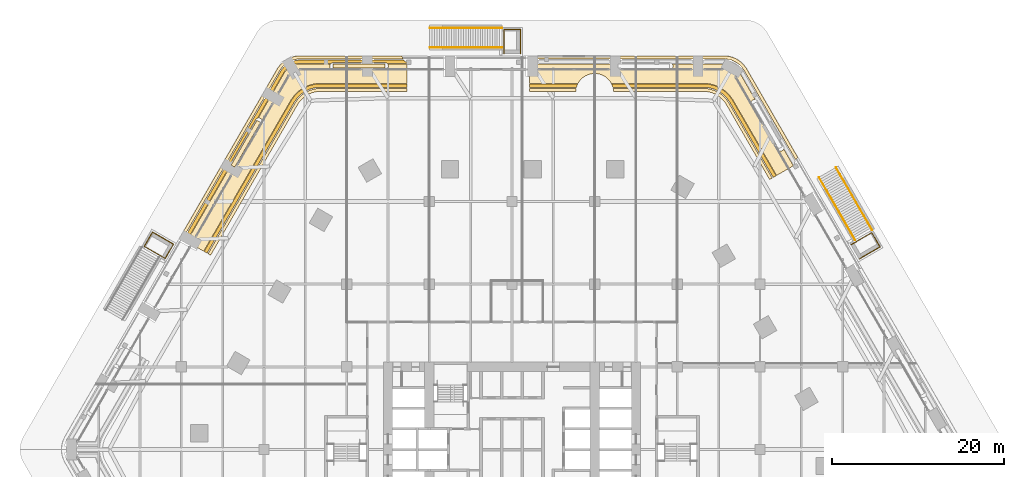
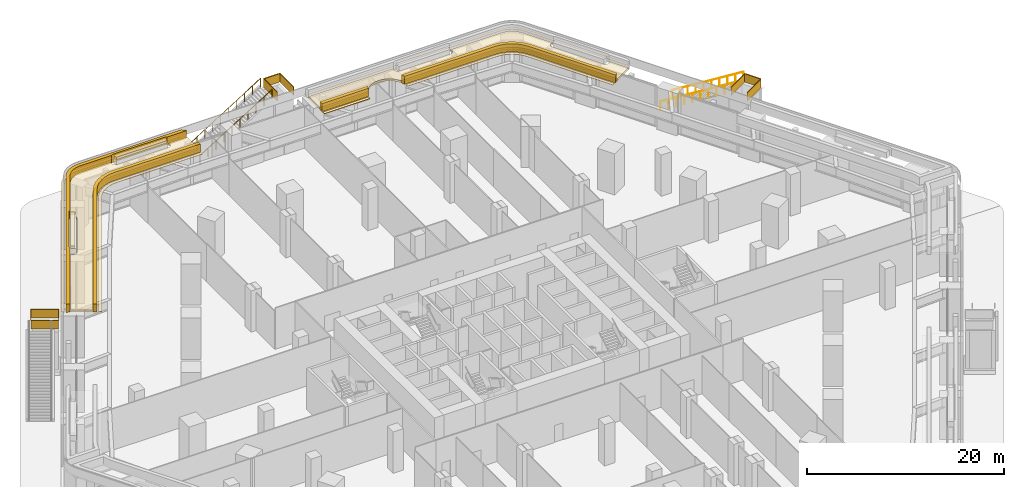
# One storey, part 33 of 34: 13 coverings, 7 railings.
"""IFC4 building model written with IfcOpenShell, lengths in metres."""

from ifc_helpers import new_model, si_unit, direction, frame, frame_2d, origin, origin_2d, place, context, subcontext, project, spatial, polyline, rectangle, circle, outline, extrude, material, layer, layer_set, type_object, element, save


model = new_model("IFC4")

# Units and contexts
model_context = context("Model", 3, precision=1e-05, world=origin(), true_north=direction((0.0, 1.0)))
body_context = subcontext(model_context, "Body", "Model", "MODEL_VIEW")
ifc_project = project(units=[si_unit("LENGTHUNIT", "METRE"), si_unit("AREAUNIT", "SQUARE_METRE"), si_unit("VOLUMEUNIT", "CUBIC_METRE"), si_unit("PLANEANGLEUNIT", "RADIAN"), si_unit("MASSUNIT", "GRAM", prefix="KILO")], contexts=[model_context])

# Site, building, storey
site_placement = place(None, origin())
site = spatial("IfcSite", under=ifc_project, at=site_placement, CompositionType="ELEMENT")
building_placement = place(site_placement, origin())
building = spatial("IfcBuilding", under=site, at=building_placement, Name="Kolab Exchange Tower", CompositionType="ELEMENT")
storey_placement = place(building_placement, frame((0.0, 0.0, 7.0)))
storey = spatial("IfcBuildingStorey", under=building, at=storey_placement, Name="L01", CompositionType="ELEMENT", Elevation=7.0)

# Railings
ifc_material_1 = material(Name="Steel S235", Category="steel")
railing_type = type_object("IfcRailingType", Name="GUARD 1100 GLASS BALUSTRADE AND STEEL TOP RAIL", PredefinedType="GUARDRAIL", material=ifc_material_1)
for number, where, name in (
    (1, (-9.56005859375, 48.966064453125, 0.174072265625), "Stair guard"),
    (2, (-9.56005859375, 46.68603515625, 0.174072265625), "Stair guard"),
):
    element("IfcRailing", number, at=place(storey_placement, frame(where)), inside=storey, type_object=railing_type, Name=name, PredefinedType="GUARDRAIL", context=body_context, shape_type="SweptSolid", body=[
        extrude(circle(Radius=0.02490234375, at=origin_2d()), frame((0.0, 0.0, 1.0751953125), z_axis=(0.849098665391, 0.0, 0.528234281765), x_axis=(0.0, 1.0, 0.0)), (0.0, 0.0, 1.0), 9.89306640625),
        extrude(circle(Radius=0.02001953125, at=origin_2d()), origin(), (0.0, 0.0, 1.0), 1.050048828125),
        extrude(circle(Radius=0.02001953125, at=origin_2d()), frame((0.933349609375, 0.0, 0.58056640625)), (0.0, 0.0, 1.0), 1.050048828125),
        extrude(circle(Radius=0.02001953125, at=origin_2d()), frame((1.86669921875, 0.0, 1.161376953125)), (0.0, 0.0, 1.0), 1.050048828125),
        extrude(circle(Radius=0.02001953125, at=origin_2d()), frame((2.800048828125, 0.0, 1.741943359375)), (0.0, 0.0, 1.0), 1.050048828125),
        extrude(circle(Radius=0.02001953125, at=origin_2d()), frame((3.7333984375, 0.0, 2.322509765625)), (0.0, 0.0, 1.0), 1.050048828125),
        extrude(circle(Radius=0.02001953125, at=origin_2d()), frame((4.666748046875, 0.0, 2.9033203125)), (0.0, 0.0, 1.0), 1.050048828125),
        extrude(circle(Radius=0.02001953125, at=origin_2d()), frame((5.60009765625, 0.0, 3.48388671875)), (0.0, 0.0, 1.0), 1.050048828125),
        extrude(circle(Radius=0.02001953125, at=origin_2d()), frame((6.533447265625, 0.0, 4.064453125)), (0.0, 0.0, 1.0), 1.050048828125),
        extrude(circle(Radius=0.02001953125, at=origin_2d()), frame((7.466796875, 0.0, 4.645263671875)), (0.0, 0.0, 1.0), 1.050048828125),
        extrude(circle(Radius=0.02001953125, at=origin_2d()), frame((8.400146484375, 0.0, 5.225830078125)), (0.0, 0.0, 1.0), 1.050048828125),
    ])
railing_1_placement = place(storey_placement, frame((-0.9150390625, 45.97607421875, 5.39990234375)))
element("IfcRailing", 3, at=railing_1_placement, inside=storey, type_object=railing_type, Name="Landing guard", PredefinedType="GUARDRAIL", context=body_context, shape_type="SweptSolid", body=[
    extrude(rectangle(XDim=0.05, YDim=0.05, at=origin_2d()), frame((0.0, 0.0, 1.0751953125), z_axis=(0.0, 1.0, 0.0), x_axis=(-1.0, 0.0, 0.0)), (0.0, 0.0, 1.0), 2.800048828125),
    extrude(rectangle(XDim=0.012, YDim=1.05009765625, at=frame_2d((0.0, 0.525146484375))), frame((0.0, 0.0, 0.0), z_axis=(0.0, 1.0, 0.0), x_axis=(-1.0, 0.0, 0.0)), (0.0, 0.0, 1.0), 2.800048828125),
    extrude(rectangle(XDim=0.05, YDim=0.05, at=origin_2d()), frame((0.0, 2.800048828125, 1.0751953125), z_axis=(1.0, 0.0, 0.0), x_axis=(0.0, 1.0, 0.0)), (0.0, 0.0, 1.0), 1.905029296875),
    extrude(rectangle(XDim=0.012, YDim=1.05009765625, at=frame_2d((0.0, 0.525146484375))), frame((0.0, 2.800048828125, 0.0), z_axis=(1.0, 0.0, 0.0), x_axis=(0.0, 1.0, 0.0)), (0.0, 0.0, 1.0), 1.905029296875),
    extrude(rectangle(XDim=0.05, YDim=0.05, at=origin_2d()), frame((1.905029296875, 2.800048828125, 1.0751953125), z_axis=(0.0, -1.0, 0.0), x_axis=(1.0, 0.0, 0.0)), (0.0, 0.0, 1.0), 2.800048828125),
    extrude(rectangle(XDim=0.012, YDim=1.05009765625, at=frame_2d((0.0, 0.525146484375))), frame((1.905029296875, 2.800048828125, 0.0), z_axis=(0.0, -1.0, 0.0), x_axis=(1.0, 0.0, 0.0)), (0.0, 0.0, 1.0), 2.800048828125),
])
for number, where, name in (
    (4, (37.6259765625, 32.76220703125, 0.174072265625), "Stair guard"),
    (5, (35.6513671875, 31.622314453125, 0.174072265625), "Stair guard"),
):
    element("IfcRailing", number, at=place(storey_placement, frame(where)), inside=storey, type_object=railing_type, Name=name, PredefinedType="GUARDRAIL", context=body_context, shape_type="SweptSolid", body=[
        extrude(circle(Radius=0.02490234375, at=origin_2d()), frame((0.0, 0.0, 1.0751953125), z_axis=(0.424541806705, -0.735341057629, 0.528240270449), x_axis=(0.86602925447, 0.499993330357, 0.0)), (0.0, 0.0, 1.0), 9.892822265625),
        extrude(circle(Radius=0.02001953125, at=origin_2d()), origin(), (0.0, 0.0, 1.0), 1.050048828125),
        extrude(circle(Radius=0.02001953125, at=origin_2d()), frame((0.466552734375, -0.808349609375, 0.58056640625)), (0.0, 0.0, 1.0), 1.050048828125),
        extrude(circle(Radius=0.02001953125, at=origin_2d()), frame((0.933349609375, -1.61669921875, 1.161376953125)), (0.0, 0.0, 1.0), 1.050048828125),
        extrude(circle(Radius=0.02001953125, at=origin_2d()), frame((1.39990234375, -2.4248046875, 1.741943359375)), (0.0, 0.0, 1.0), 1.050048828125),
        extrude(circle(Radius=0.02001953125, at=origin_2d()), frame((1.86669921875, -3.233154296875, 2.322509765625)), (0.0, 0.0, 1.0), 1.050048828125),
        extrude(circle(Radius=0.02001953125, at=origin_2d()), frame((2.333251953125, -4.04150390625, 2.9033203125)), (0.0, 0.0, 1.0), 1.050048828125),
        extrude(circle(Radius=0.02001953125, at=origin_2d()), frame((2.800048828125, -4.849853515625, 3.48388671875)), (0.0, 0.0, 1.0), 1.050048828125),
        extrude(circle(Radius=0.02001953125, at=origin_2d()), frame((3.2666015625, -5.657958984375, 4.064453125)), (0.0, 0.0, 1.0), 1.050048828125),
        extrude(circle(Radius=0.02001953125, at=origin_2d()), frame((3.7333984375, -6.46630859375, 4.645263671875)), (0.0, 0.0, 1.0), 1.050048828125),
        extrude(circle(Radius=0.02001953125, at=origin_2d()), frame((4.199951171875, -7.274658203125, 5.225830078125)), (0.0, 0.0, 1.0), 1.050048828125),
    ])
railing_2_placement = place(storey_placement, frame((39.35888671875, 23.780517578125, 5.39990234375)))
element("IfcRailing", 6, at=railing_2_placement, inside=storey, type_object=railing_type, Name="Landing guard", PredefinedType="GUARDRAIL", context=body_context, shape_type="SweptSolid", body=[
    extrude(rectangle(XDim=0.05, YDim=0.05, at=origin_2d()), frame((0.0, 0.0, 1.0751953125), z_axis=(0.866056369097, 0.49994636267, 0.0), x_axis=(-0.49994636267, 0.866056369097, 0.0)), (0.0, 0.0, 1.0), 2.800048828125),
    extrude(rectangle(XDim=0.012, YDim=1.05009765625, at=frame_2d((0.0, 0.525146484375))), frame((0.0, 0.0, 0.0), z_axis=(0.866056369097, 0.49994636267, 0.0), x_axis=(-0.49994636267, 0.866056369097, 0.0)), (0.0, 0.0, 1.0), 2.800048828125),
    extrude(rectangle(XDim=0.05, YDim=0.05, at=origin_2d()), frame((2.425048828125, 1.39990234375, 1.0751953125), z_axis=(0.499985026433, -0.866034048605, 0.0), x_axis=(0.866034048605, 0.499985026433, 0.0)), (0.0, 0.0, 1.0), 1.90478515625),
    extrude(rectangle(XDim=0.012, YDim=1.05009765625, at=frame_2d((0.0, 0.525146484375))), frame((2.425048828125, 1.39990234375, 0.0), z_axis=(0.499985026433, -0.866034048605, 0.0), x_axis=(0.866034048605, 0.499985026433, 0.0)), (0.0, 0.0, 1.0), 1.90478515625),
    extrude(rectangle(XDim=0.05, YDim=0.05, at=origin_2d()), frame((3.37744140625, -0.249755859375, 1.0751953125), z_axis=(-0.865996816683, -0.500049511043, 0.0), x_axis=(0.500049511043, -0.865996816683, 0.0)), (0.0, 0.0, 1.0), 2.800048828125),
    extrude(rectangle(XDim=0.012, YDim=1.05009765625, at=frame_2d((0.0, 0.525146484375))), frame((3.37744140625, -0.249755859375, 0.0), z_axis=(-0.865996816683, -0.500049511043, 0.0), x_axis=(0.500049511043, -0.865996816683, 0.0)), (0.0, 0.0, 1.0), 2.800048828125),
])
railing_3_placement = place(storey_placement, frame((-40.27392578125, 22.195556640625, 5.39990234375)))
element("IfcRailing", 7, at=railing_3_placement, inside=storey, type_object=railing_type, Name="Landing guard", PredefinedType="GUARDRAIL", context=body_context, shape_type="SweptSolid", body=[
    extrude(rectangle(XDim=0.05, YDim=0.05, at=origin_2d()), frame((0.0, 0.0, 1.0751953125), z_axis=(-0.866018616679, 0.500011755427, 0.0), x_axis=(-0.500011755427, -0.866018616679, 0.0)), (0.0, 0.0, 1.0), 2.80029296875),
    extrude(rectangle(XDim=0.012, YDim=1.05009765625, at=frame_2d((0.0, 0.525146484375))), frame((0.0, 0.0, 0.0), z_axis=(-0.866018616679, 0.500011755427, 0.0), x_axis=(-0.500011755427, -0.866018616679, 0.0)), (0.0, 0.0, 1.0), 2.80029296875),
    extrude(rectangle(XDim=0.05, YDim=0.05, at=origin_2d()), frame((-2.425048828125, 1.400146484375, 1.0751953125), z_axis=(0.500081145431, 0.865978549379, 0.0), x_axis=(-0.865978549379, 0.500081145431, 0.0)), (0.0, 0.0, 1.0), 1.905029296875),
    extrude(rectangle(XDim=0.012, YDim=1.05009765625, at=frame_2d((0.0, 0.525146484375))), frame((-2.425048828125, 1.400146484375, 0.0), z_axis=(0.500081145431, 0.865978549379, 0.0), x_axis=(-0.865978549379, 0.500081145431, 0.0)), (0.0, 0.0, 1.0), 1.905029296875),
    extrude(rectangle(XDim=0.05, YDim=0.05, at=origin_2d()), frame((-1.472412109375, 3.0498046875, 1.0751953125), z_axis=(0.866034573852, -0.49998411664, 0.0), x_axis=(0.49998411664, 0.866034573852, 0.0)), (0.0, 0.0, 1.0), 2.7998046875),
    extrude(rectangle(XDim=0.012, YDim=1.05009765625, at=frame_2d((0.0, 0.525146484375))), frame((-1.472412109375, 3.0498046875, 0.0), z_axis=(0.866034573852, -0.49998411664, 0.0), x_axis=(0.49998411664, 0.866034573852, 0.0)), (0.0, 0.0, 1.0), 2.7998046875),
    extrude(rectangle(XDim=0.05, YDim=0.05, at=origin_2d()), frame((0.952392578125, 1.64990234375, 1.0751953125), z_axis=(-0.499929534118, -0.866066083458, 0.0), x_axis=(0.866066083458, -0.499929534118, 0.0)), (0.0, 0.0, 1.0), 1.905029296875),
    extrude(rectangle(XDim=0.012, YDim=1.05009765625, at=frame_2d((0.0, 0.525146484375))), frame((0.952392578125, 1.64990234375, 0.0), z_axis=(-0.499929534118, -0.866066083458, 0.0), x_axis=(0.866066083458, -0.499929534118, 0.0)), (0.0, 0.0, 1.0), 1.905029296875),
])

# Coverings
ifc_material_2 = material(Name="Planting soil and turf", Category="soil")
ifc_layer_1 = layer(ifc_material_2, 0.25)
ifc_layer_set_1 = layer_set([ifc_layer_1], Name="Planting soil and turf")
covering_type_1 = type_object("IfcCoveringType", Name="PLANTING SOIL AND TURF 250", PredefinedType="USERDEFINED", material=ifc_layer_set_1)
covering_1_placement = place(storey_placement, frame((0.0, 0.0, 5.39990234375)))
element("IfcCovering", 8, at=covering_1_placement, inside=storey, type_object=covering_type_1, Name="Planting soil and turf", ObjectType="PLANTING", PredefinedType="USERDEFINED", context=body_context, shape_type="SweptSolid", body=[
    extrude(outline(polyline([(-32.7861328125, 32.764892578125), (-32.7724609375, 32.733154296875), (-32.75341796875, 32.698974609375), (-32.73095703125, 32.66650390625), (-32.70556640625, 32.63671875), (-32.677490234375, 32.609375), (-32.646728515625, 32.5849609375), (-32.61376953125, 32.563720703125), (-32.578857421875, 32.545654296875), (-32.542236328125, 32.53125), (-32.504638671875, 32.5205078125), (-32.4658203125, 32.513427734375), (-32.4267578125, 32.51025390625), (-32.387451171875, 32.510986328125), (-32.3486328125, 32.515380859375), (-32.31005859375, 32.523681640625), (-32.272705078125, 32.53564453125), (-32.23681640625, 32.55126953125), (-32.202392578125, 32.5703125), (-32.170166015625, 32.5927734375), (-32.140380859375, 32.6181640625), (-32.113037109375, 32.646240234375), (-32.088623046875, 32.677001953125), (-32.0673828125, 32.710205078125), (-29.0673828125, 37.90625), (-29.04931640625, 37.941162109375), (-29.034912109375, 37.977783203125), (-29.024169921875, 38.015380859375), (-29.01708984375, 38.053955078125), (-29.013916015625, 38.09326171875), (-29.0146484375, 38.13232421875), (-29.01904296875, 38.17138671875), (-29.02734375, 38.209716796875), (-29.039306640625, 38.2470703125), (-29.054931640625, 38.283203125), (-29.073974609375, 38.3173828125), (-29.096435546875, 38.349853515625), (-29.121826171875, 38.379638671875), (-29.14990234375, 38.406982421875), (-29.1806640625, 38.431396484375), (-29.213623046875, 38.45263671875), (-29.24853515625, 38.470703125), (-29.28515625, 38.485107421875), (-29.32275390625, 38.495849609375), (-29.361572265625, 38.5029296875), (-29.400634765625, 38.506103515625), (-29.43994140625, 38.50537109375), (-29.47412109375, 38.50146484375), (-26.464111328125, 43.71533203125), (-26.235595703125, 44.04150390625), (-25.9833984375, 44.293701171875), (-25.691162109375, 44.498291015625), (-25.367919921875, 44.649169921875), (-25.023193359375, 44.741455078125), (-24.62646484375, 44.776123046875), (-21.072998046875, 44.776123046875), (-21.093505859375, 44.748291015625), (-21.11376953125, 44.714599609375), (-21.13037109375, 44.67919921875), (-21.143798828125, 44.642333984375), (-21.1533203125, 44.604248046875), (-21.158935546875, 44.5654296875), (-21.160888671875, 44.526123046875), (-21.158935546875, 44.48681640625), (-21.1533203125, 44.447998046875), (-21.143798828125, 44.409912109375), (-21.13037109375, 44.373046875), (-21.11376953125, 44.337646484375), (-21.093505859375, 44.303955078125), (-21.070068359375, 44.2724609375), (-21.043701171875, 44.243408203125), (-21.0146484375, 44.217041015625), (-20.983154296875, 44.193603515625), (-20.949462890625, 44.17333984375), (-20.9140625, 44.156494140625), (-20.876953125, 44.143310546875), (-20.8388671875, 44.1337890625), (-20.800048828125, 44.128173828125), (-20.760986328125, 44.126220703125), (-14.760986328125, 44.126220703125), (-14.7216796875, 44.128173828125), (-14.682861328125, 44.1337890625), (-14.644775390625, 44.143310546875), (-14.60791015625, 44.156494140625), (-14.572265625, 44.17333984375), (-14.53857421875, 44.193603515625), (-14.507080078125, 44.217041015625), (-14.47802734375, 44.243408203125), (-14.45166015625, 44.2724609375), (-14.42822265625, 44.303955078125), (-14.408203125, 44.337646484375), (-14.391357421875, 44.373046875), (-14.378173828125, 44.409912109375), (-14.36865234375, 44.447998046875), (-14.36279296875, 44.48681640625), (-14.36083984375, 44.526123046875), (-14.36279296875, 44.5654296875), (-14.36865234375, 44.604248046875), (-14.378173828125, 44.642333984375), (-14.391357421875, 44.67919921875), (-14.408203125, 44.714599609375), (-14.42822265625, 44.748291015625), (-14.448974609375, 44.776123046875), (-12.199951171875, 44.776123046875), (-12.199951171875, 42.519287109375), (-22.309326171875, 42.519287109375), (-22.95458984375, 42.462890625), (-23.6201171875, 42.284423828125), (-24.244873046875, 41.9931640625), (-24.809326171875, 41.597900390625), (-25.296630859375, 41.110595703125), (-25.66796875, 40.580078125), (-35.802734375, 23.0263671875), (-37.75732421875, 24.15478515625), (-32.7861328125, 32.764892578125)])), origin(), (0.0, 0.0, 1.0), 0.25),
])
covering_2_placement = place(storey_placement, frame((0.0, 0.0, 5.39990234375)))
element("IfcCovering", 9, at=covering_2_placement, inside=storey, type_object=covering_type_1, Name="Planting soil and turf", ObjectType="PLANTING", PredefinedType="USERDEFINED", context=body_context, shape_type="SweptSolid", body=[
    extrude(outline(polyline([(11.982177734375, 44.776123046875), (11.96142578125, 44.748291015625), (11.94140625, 44.714599609375), (11.924560546875, 44.67919921875), (11.911376953125, 44.642333984375), (11.90185546875, 44.604248046875), (11.89599609375, 44.5654296875), (11.89404296875, 44.526123046875), (11.89599609375, 44.48681640625), (11.90185546875, 44.447998046875), (11.911376953125, 44.409912109375), (11.924560546875, 44.373046875), (11.94140625, 44.337646484375), (11.96142578125, 44.303955078125), (11.98486328125, 44.2724609375), (12.01123046875, 44.243408203125), (12.040283203125, 44.217041015625), (12.072021484375, 44.193603515625), (12.10546875, 44.17333984375), (12.14111328125, 44.156494140625), (12.177978515625, 44.143310546875), (12.216064453125, 44.1337890625), (12.2548828125, 44.128173828125), (12.294189453125, 44.126220703125), (18.294189453125, 44.126220703125), (18.333251953125, 44.128173828125), (18.3720703125, 44.1337890625), (18.41015625, 44.143310546875), (18.447265625, 44.156494140625), (18.482666015625, 44.17333984375), (18.516357421875, 44.193603515625), (18.5478515625, 44.217041015625), (18.576904296875, 44.243408203125), (18.603271484375, 44.2724609375), (18.626708984375, 44.303955078125), (18.64697265625, 44.337646484375), (18.66357421875, 44.373046875), (18.677001953125, 44.409912109375), (18.6865234375, 44.447998046875), (18.692138671875, 44.48681640625), (18.694091796875, 44.526123046875), (18.692138671875, 44.5654296875), (18.6865234375, 44.604248046875), (18.677001953125, 44.642333984375), (18.66357421875, 44.67919921875), (18.64697265625, 44.714599609375), (18.626708984375, 44.748291015625), (18.606201171875, 44.776123046875), (24.62646484375, 44.776123046875), (25.023193359375, 44.741455078125), (25.367919921875, 44.649169921875), (25.691162109375, 44.498291015625), (25.9833984375, 44.293701171875), (26.235595703125, 44.04150390625), (26.464111328125, 43.71533203125), (28.24072265625, 40.6376953125), (28.20654296875, 40.6416015625), (28.167236328125, 40.642333984375), (28.128173828125, 40.63916015625), (28.089599609375, 40.632080078125), (28.0517578125, 40.621337890625), (28.01513671875, 40.60693359375), (27.980224609375, 40.5888671875), (27.947265625, 40.567626953125), (27.91650390625, 40.543212890625), (27.888427734375, 40.51611328125), (27.863037109375, 40.486083984375), (27.840576171875, 40.453857421875), (27.821533203125, 40.41943359375), (27.805908203125, 40.383544921875), (27.7939453125, 40.34619140625), (27.78564453125, 40.3076171875), (27.78125, 40.268798828125), (27.780517578125, 40.2294921875), (27.78369140625, 40.1904296875), (27.790771484375, 40.151611328125), (27.801513671875, 40.114013671875), (27.81591796875, 40.077392578125), (27.833984375, 40.04248046875), (30.833984375, 34.846435546875), (30.855224609375, 34.8134765625), (30.879638671875, 34.78271484375), (30.906982421875, 34.75439453125), (30.936767578125, 34.72900390625), (30.968994140625, 34.706787109375), (31.00341796875, 34.687744140625), (31.039306640625, 34.672119140625), (31.07666015625, 34.66015625), (31.115234375, 34.65185546875), (31.154052734375, 34.647216796875), (31.193359375, 34.646728515625), (31.232421875, 34.64990234375), (31.271240234375, 34.65673828125), (31.308837890625, 34.667724609375), (31.345458984375, 34.68212890625), (31.38037109375, 34.699951171875), (31.413330078125, 34.72119140625), (31.444091796875, 34.74560546875), (31.47216796875, 34.77294921875), (31.49755859375, 34.802978515625), (31.52001953125, 34.835205078125), (31.5390625, 34.869384765625), (31.552734375, 34.901123046875), (32.67724609375, 32.95361328125), (30.72265625, 31.8251953125), (25.66796875, 40.580078125), (25.296630859375, 41.110595703125), (24.809326171875, 41.597900390625), (24.244873046875, 41.9931640625), (23.6201171875, 42.284423828125), (22.95458984375, 42.462890625), (22.309326171875, 42.519287109375), (11.532470703125, 42.519287109375), (11.42919921875, 42.69140625), (11.300537109375, 42.864990234375), (11.155517578125, 43.02490234375), (10.99560546875, 43.169921875), (10.822265625, 43.29833984375), (10.636962890625, 43.409423828125), (10.44189453125, 43.501708984375), (10.238525390625, 43.574462890625), (10.029296875, 43.626953125), (9.815673828125, 43.65869140625), (9.60009765625, 43.669189453125), (9.38427734375, 43.65869140625), (9.1708984375, 43.626953125), (8.96142578125, 43.574462890625), (8.758056640625, 43.501708984375), (8.56298828125, 43.409423828125), (8.377685546875, 43.29833984375), (8.204345703125, 43.169921875), (8.04443359375, 43.02490234375), (7.8994140625, 42.864990234375), (7.770751953125, 42.69140625), (7.66748046875, 42.519287109375), (2.0400390625, 42.519287109375), (2.0400390625, 44.776123046875), (11.982177734375, 44.776123046875)])), origin(), (0.0, 0.0, 1.0), 0.25),
])
covering_3_placement = place(storey_placement, frame((0.0, 0.0, 6.10009765625)))
element("IfcCovering", 10, at=covering_3_placement, inside=storey, type_object=covering_type_1, Name="Planting soil and turf", ObjectType="PLANTING", PredefinedType="USERDEFINED", context=body_context, shape_type="SweptSolid", body=[
    extrude(outline(polyline([(-14.760986328125, 44.76611328125), (-14.760986328125, 44.2861328125), (-20.760986328125, 44.2861328125), (-20.760986328125, 44.76611328125), (-14.760986328125, 44.76611328125)])), origin(), (0.0, 0.0, 1.0), 0.2998046875),
])
covering_4_placement = place(storey_placement, frame((0.0, 0.0, 6.10009765625)))
element("IfcCovering", 11, at=covering_4_placement, inside=storey, type_object=covering_type_1, Name="Planting soil and turf", ObjectType="PLANTING", PredefinedType="USERDEFINED", context=body_context, shape_type="SweptSolid", body=[
    extrude(outline(polyline([(-29.62158203125, 38.226318359375), (-29.205810546875, 37.986328125), (-32.205810546875, 32.7900390625), (-32.62158203125, 33.030029296875), (-29.62158203125, 38.226318359375)])), origin(), (0.0, 0.0, 1.0), 0.2998046875),
])
ifc_material_3 = material(Name="Limestone coping", Category="masonry")
ifc_layer_2 = layer(ifc_material_3, 0.050048828125)
ifc_layer_set_2 = layer_set([ifc_layer_2], Name="Limestone coping")
covering_type_2 = type_object("IfcCoveringType", Name="TERRACE EDGE BAND LIMESTONE 50", PredefinedType="CLADDING", material=ifc_layer_set_2)
covering_5_placement = place(storey_placement, frame((0.0, 0.0, 5.39990234375)))
element("IfcCovering", 12, at=covering_5_placement, inside=storey, type_object=covering_type_2, Name="Terrace edge band", PredefinedType="CLADDING", context=body_context, shape_type="SweptSolid", body=[
    extrude(outline(polyline([(-27.2490234375, 44.21533203125), (-26.95068359375, 44.6416015625), (-26.58349609375, 45.0087890625), (-26.157958984375, 45.306884765625), (-25.687255859375, 45.5263671875), (-25.185302734375, 45.660888671875), (-24.6669921875, 45.7060546875), (-12.759033203125, 45.7060546875), (-12.756103515625, 45.647705078125), (-12.74462890625, 45.570068359375), (-12.7255859375, 45.493896484375), (-12.69921875, 45.419921875), (-12.6689453125, 45.356201171875), (-24.65185546875, 45.356201171875), (-25.12451171875, 45.314697265625), (-25.56689453125, 45.1962890625), (-25.982177734375, 45.002685546875), (-26.357666015625, 44.73974609375), (-26.681640625, 44.415771484375), (-26.95361328125, 44.027099609375), (-38.30517578125, 24.365966796875), (-38.34521484375, 24.424072265625), (-38.39599609375, 24.48388671875), (-38.45263671875, 24.538330078125), (-38.513916015625, 24.587158203125), (-38.563232421875, 24.618896484375), (-27.2490234375, 44.21533203125)])), origin(), (0.0, 0.0, 1.0), 0.050048828125),
])
covering_6_placement = place(storey_placement, frame((0.0, 0.0, 5.39990234375)))
element("IfcCovering", 13, at=covering_6_placement, inside=storey, type_object=covering_type_2, Name="Terrace edge band", PredefinedType="CLADDING", context=body_context, shape_type="SweptSolid", body=[
    extrude(outline(polyline([(-22.268798828125, 41.589111328125), (-22.79248046875, 41.54345703125), (-23.30078125, 41.4072265625), (-23.778076171875, 41.1845703125), (-24.209228515625, 40.8828125), (-24.58154296875, 40.510498046875), (-24.8828125, 40.080078125), (-34.997314453125, 22.561279296875), (-35.300537109375, 22.736328125), (-25.178466796875, 40.268310546875), (-24.8505859375, 40.736328125), (-24.43505859375, 41.15185546875), (-23.95361328125, 41.489013671875), (-23.421142578125, 41.7373046875), (-22.853271484375, 41.889404296875), (-22.2841796875, 41.939208984375), (-12.199951171875, 41.939208984375), (-12.199951171875, 41.589111328125), (-22.268798828125, 41.589111328125)])), origin(), (0.0, 0.0, 1.0), 0.050048828125),
])
covering_7_placement = place(storey_placement, frame((0.0, 0.0, 5.39990234375)))
element("IfcCovering", 14, at=covering_7_placement, inside=storey, type_object=covering_type_2, Name="Terrace edge band", PredefinedType="CLADDING", context=body_context, shape_type="SweptSolid", body=[
    extrude(outline(polyline([(2.0400390625, 41.589111328125), (2.0400390625, 41.939208984375), (7.452392578125, 41.939208984375), (7.4423828125, 41.8984375), (7.41064453125, 41.684814453125), (7.406005859375, 41.589111328125), (2.0400390625, 41.589111328125)])), origin(), (0.0, 0.0, 1.0), 0.050048828125),
])
covering_8_placement = place(storey_placement, frame((0.0, 0.0, 5.39990234375)))
element("IfcCovering", 15, at=covering_8_placement, inside=storey, type_object=covering_type_2, Name="Terrace edge band", PredefinedType="CLADDING", context=body_context, shape_type="SweptSolid", body=[
    extrude(outline(polyline([(24.6669921875, 45.7060546875), (25.185302734375, 45.660888671875), (25.687255859375, 45.5263671875), (26.157958984375, 45.306884765625), (26.58349609375, 45.0087890625), (26.95068359375, 44.6416015625), (27.2490234375, 44.21533203125), (33.203125, 33.902587890625), (33.154052734375, 33.87109375), (33.092529296875, 33.822265625), (33.0361328125, 33.767578125), (32.9853515625, 33.707763671875), (32.945068359375, 33.649658203125), (26.95361328125, 44.027099609375), (26.681640625, 44.415771484375), (26.357666015625, 44.73974609375), (25.982177734375, 45.002685546875), (25.56689453125, 45.1962890625), (25.12451171875, 45.314697265625), (24.65185546875, 45.356201171875), (1.948974609375, 45.356201171875), (1.97900390625, 45.419921875), (2.005615234375, 45.493896484375), (2.024658203125, 45.570068359375), (2.0361328125, 45.647705078125), (2.0390625, 45.7060546875), (24.6669921875, 45.7060546875)])), origin(), (0.0, 0.0, 1.0), 0.050048828125),
])
covering_9_placement = place(storey_placement, frame((0.0, 0.0, 5.39990234375)))
element("IfcCovering", 16, at=covering_9_placement, inside=storey, type_object=covering_type_2, Name="Terrace edge band", PredefinedType="CLADDING", context=body_context, shape_type="SweptSolid", body=[
    extrude(outline(polyline([(24.8828125, 40.080078125), (24.58154296875, 40.510498046875), (24.209228515625, 40.8828125), (23.778076171875, 41.1845703125), (23.30078125, 41.4072265625), (22.79248046875, 41.54345703125), (22.268798828125, 41.589111328125), (11.794189453125, 41.589111328125), (11.789306640625, 41.684814453125), (11.7578125, 41.8984375), (11.74755859375, 41.939208984375), (22.2841796875, 41.939208984375), (22.853271484375, 41.889404296875), (23.421142578125, 41.7373046875), (23.95361328125, 41.489013671875), (24.43505859375, 41.15185546875), (24.8505859375, 40.736328125), (25.178466796875, 40.268310546875), (30.220458984375, 31.53515625), (29.917236328125, 31.360107421875), (24.8828125, 40.080078125)])), origin(), (0.0, 0.0, 1.0), 0.050048828125),
])
ifc_material_4 = material(Name="Terrace hedge planting", Category="soil")
ifc_layer_3 = layer(ifc_material_4, 1.0)
ifc_layer_set_3 = layer_set([ifc_layer_3], Name="Terrace hedge planting")
covering_type_3 = type_object("IfcCoveringType", Name="TERRACE HEDGE 1000 X 400", PredefinedType="USERDEFINED", material=ifc_layer_set_3)
covering_10_placement = place(storey_placement, frame((0.0, 0.0, 5.39990234375)))
element("IfcCovering", 17, at=covering_10_placement, inside=storey, type_object=covering_type_3, Name="Terrace hedge", ObjectType="PLANTING", PredefinedType="USERDEFINED", context=body_context, shape_type="SweptSolid", body=[
    extrude(outline(polyline([(-26.843994140625, 43.957275390625), (-26.58154296875, 44.331787109375), (-26.273681640625, 44.639892578125), (-25.9169921875, 44.8896484375), (-25.5224609375, 45.073486328125), (-25.101806640625, 45.186279296875), (-24.646240234375, 45.22607421875), (-12.583984375, 45.22607421875), (-12.578369140625, 45.218505859375), (-12.525634765625, 45.160400390625), (-12.467529296875, 45.107666015625), (-12.404541015625, 45.06103515625), (-12.337158203125, 45.0205078125), (-12.26611328125, 44.987060546875), (-12.194091796875, 44.961181640625), (-12.196044921875, 44.94775390625), (-12.199951171875, 44.869140625), (-12.199951171875, 44.826171875), (-14.4970703125, 44.826171875), (-14.507080078125, 44.83544921875), (-14.53857421875, 44.858642578125), (-14.572265625, 44.87890625), (-14.60791015625, 44.895751953125), (-14.644775390625, 44.908935546875), (-14.682861328125, 44.91845703125), (-14.7216796875, 44.92431640625), (-14.760986328125, 44.926025390625), (-20.760986328125, 44.926025390625), (-20.800048828125, 44.92431640625), (-20.8388671875, 44.91845703125), (-20.876953125, 44.908935546875), (-20.9140625, 44.895751953125), (-20.949462890625, 44.87890625), (-20.983154296875, 44.858642578125), (-21.0146484375, 44.83544921875), (-21.02490234375, 44.826171875), (-24.628662109375, 44.826171875), (-25.031982421875, 44.790771484375), (-25.385009765625, 44.6962890625), (-25.71630859375, 44.541748046875), (-26.015625, 44.332275390625), (-26.27392578125, 44.07373046875), (-26.50634765625, 43.7421875), (-29.54150390625, 38.48486328125), (-29.5546875, 38.480712890625), (-29.590576171875, 38.465087890625), (-29.625, 38.446044921875), (-29.6572265625, 38.423583984375), (-29.687255859375, 38.398193359375), (-29.71435546875, 38.369873046875), (-29.73876953125, 38.33935546875), (-29.760009765625, 38.30615234375), (-32.760009765625, 33.110107421875), (-32.778076171875, 33.0751953125), (-32.79248046875, 33.03857421875), (-32.80322265625, 33.0009765625), (-32.810302734375, 32.96240234375), (-32.8134765625, 32.923095703125), (-32.812744140625, 32.884033203125), (-32.808349609375, 32.844970703125), (-32.805419921875, 32.83154296875), (-37.800537109375, 24.1796875), (-37.837890625, 24.201416015625), (-37.90771484375, 24.237060546875), (-37.980712890625, 24.26611328125), (-38.05615234375, 24.28759765625), (-38.133544921875, 24.3017578125), (-38.189453125, 24.30615234375), (-26.843994140625, 43.957275390625)])), origin(), (0.0, 0.0, 1.0), 1.0),
])
covering_11_placement = place(storey_placement, frame((0.0, 0.0, 5.39990234375)))
element("IfcCovering", 18, at=covering_11_placement, inside=storey, type_object=covering_type_3, Name="Terrace hedge", ObjectType="PLANTING", PredefinedType="USERDEFINED", context=body_context, shape_type="SweptSolid", body=[
    extrude(outline(polyline([(-22.289794921875, 42.0693359375), (-22.8759765625, 42.017822265625), (-23.465576171875, 41.85986328125), (-24.018798828125, 41.60205078125), (-24.51904296875, 41.251953125), (-24.95068359375, 40.8203125), (-25.2880859375, 40.338134765625), (-35.4130859375, 22.80126953125), (-35.759521484375, 23.001220703125), (-25.625732421875, 40.55322265625), (-25.258056640625, 41.078369140625), (-24.777099609375, 41.559326171875), (-24.2197265625, 41.94970703125), (-23.60302734375, 42.2373046875), (-22.94580078125, 42.413330078125), (-22.30712890625, 42.46923828125), (-12.199951171875, 42.46923828125), (-12.199951171875, 42.0693359375), (-22.289794921875, 42.0693359375)])), origin(), (0.0, 0.0, 1.0), 1.0),
])
covering_12_placement = place(storey_placement, frame((0.0, 0.0, 5.39990234375)))
element("IfcCovering", 19, at=covering_12_placement, inside=storey, type_object=covering_type_3, Name="Terrace hedge", ObjectType="PLANTING", PredefinedType="USERDEFINED", context=body_context, shape_type="SweptSolid", body=[
    extrude(outline(polyline([(2.0400390625, 42.0693359375), (2.0400390625, 42.46923828125), (7.642333984375, 42.46923828125), (7.5673828125, 42.31103515625), (7.49462890625, 42.10791015625), (7.485107421875, 42.0693359375), (2.0400390625, 42.0693359375)])), origin(), (0.0, 0.0, 1.0), 1.0),
])
covering_13_placement = place(storey_placement, frame((0.0, 0.0, 5.39990234375)))
element("IfcCovering", 20, at=covering_13_placement, inside=storey, type_object=covering_type_3, Name="Terrace hedge", ObjectType="PLANTING", PredefinedType="USERDEFINED", context=body_context, shape_type="SweptSolid", body=[
    extrude(outline(polyline([(25.2880859375, 40.338134765625), (24.95068359375, 40.8203125), (24.51904296875, 41.251953125), (24.018798828125, 41.60205078125), (23.465576171875, 41.85986328125), (22.8759765625, 42.017822265625), (22.289794921875, 42.0693359375), (11.71484375, 42.0693359375), (11.705322265625, 42.10791015625), (11.632568359375, 42.31103515625), (11.557861328125, 42.46923828125), (22.30712890625, 42.46923828125), (22.94580078125, 42.413330078125), (23.60302734375, 42.2373046875), (24.2197265625, 41.94970703125), (24.777099609375, 41.559326171875), (25.258056640625, 41.078369140625), (25.625732421875, 40.55322265625), (30.679443359375, 31.800048828125), (30.3330078125, 31.60009765625), (25.2880859375, 40.338134765625)])), origin(), (0.0, 0.0, 1.0), 1.0),
])

save(model, "model.ifc")
